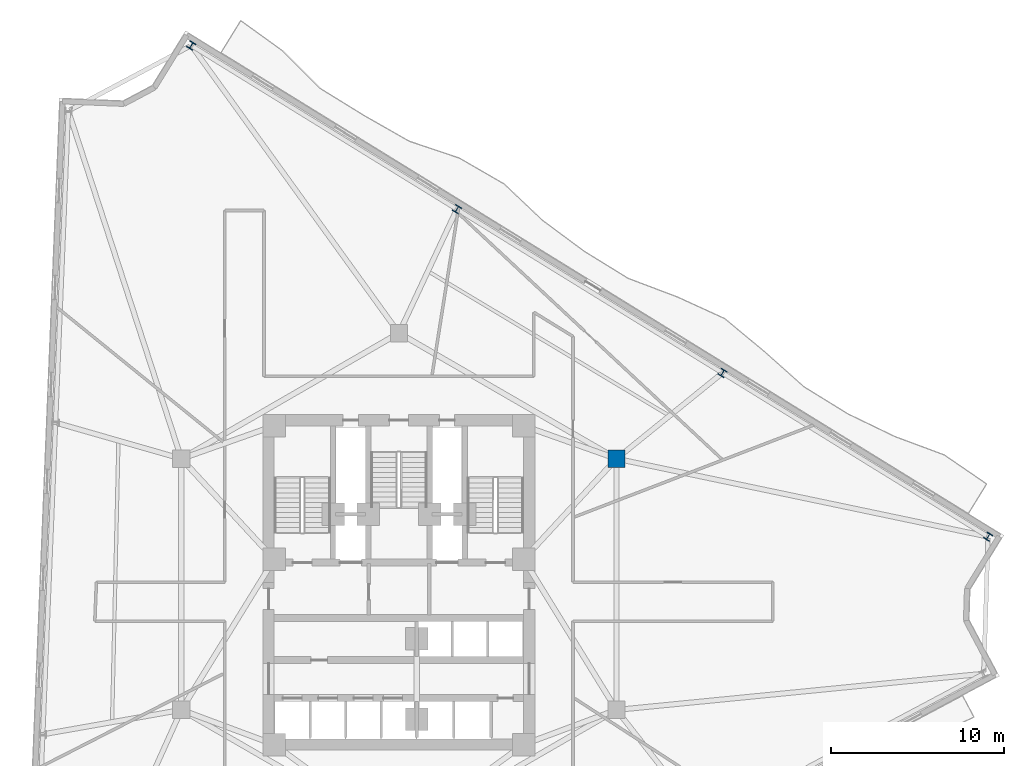
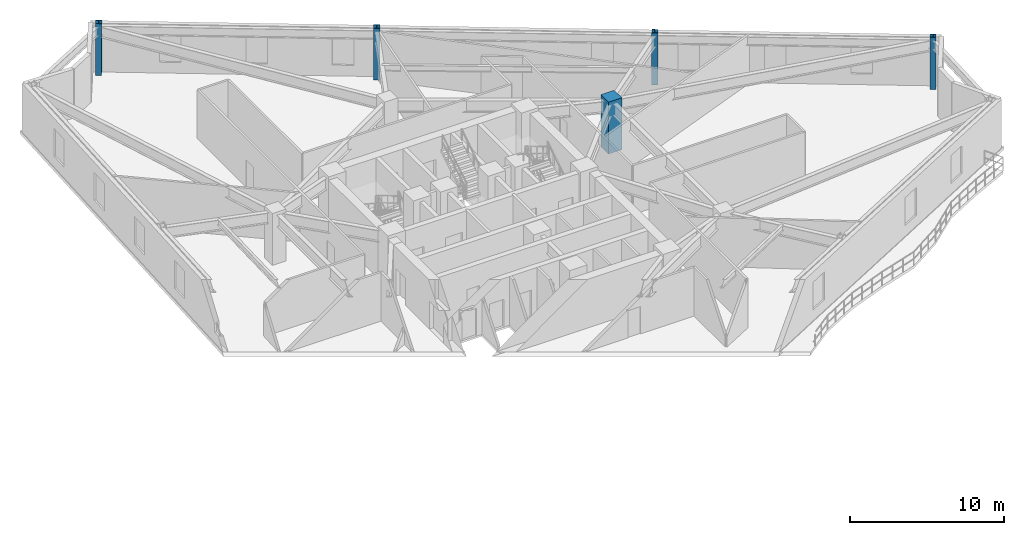
# One storey, part 2 of 11: 5 columns.
"""IFC4 building model written with IfcOpenShell, lengths in metres."""

from ifc_helpers import new_model, si_unit, direction, frame, origin, origin_2d, place, context, subcontext, project, spatial, rectangle, i_section, extrude, material, material_profile, profile_set, type_object, element, save


model = new_model("IFC4")

# Units and contexts
model_context = context("Model", 3, precision=1e-05, world=origin(), true_north=direction((0.0, 1.0)))
body_context = subcontext(model_context, "Body", "Model", "MODEL_VIEW")
ifc_project = project(units=[si_unit("LENGTHUNIT", "METRE"), si_unit("AREAUNIT", "SQUARE_METRE"), si_unit("VOLUMEUNIT", "CUBIC_METRE"), si_unit("PLANEANGLEUNIT", "RADIAN"), si_unit("MASSUNIT", "GRAM", prefix="KILO")], contexts=[model_context])

# Site, building, storey
site_placement = place(None, origin())
site = spatial("IfcSite", under=ifc_project, at=site_placement, CompositionType="ELEMENT")
building_placement = place(site_placement, origin())
building = spatial("IfcBuilding", under=site, at=building_placement, Name="Apsidion Concourse Tower", CompositionType="ELEMENT")
storey_placement = place(building_placement, frame((0.0, 0.0, 186.0)))
storey = spatial("IfcBuildingStorey", under=building, at=storey_placement, Name="L43", CompositionType="ELEMENT", Elevation=186.0)

# Columns
ifc_material_1 = material(Name="Concrete C50/60", Category="concrete")
ifc_material_profile_1 = material_profile(ifc_material_1, rectangle(XDim=1.0, YDim=1.0, at=origin_2d()), Name="RC 1000x1000")
ifc_profile_set_1 = profile_set([ifc_material_profile_1], Name="Concrete C50/60")
column_type_1 = type_object("IfcColumnType", Name="COL-RC-1000", PredefinedType="COLUMN", material=ifc_profile_set_1)
column_placement = place(storey_placement, frame((12.56005859375, 7.25, 0.0), z_axis=(0.0, 0.0, 1.0), x_axis=(1.0, 0.0, 0.0)))
element("IfcColumn", 1, at=column_placement, inside=storey, type_object=column_type_1, Name="L43 Interior Spine Column IC3", PredefinedType="COLUMN", context=body_context, shape_type="SweptSolid", body=[
    extrude(rectangle(XDim=1.0, YDim=1.0, at=origin_2d()), origin(), (0.0, 0.0, 1.0), 4.10009765625),
])
ifc_material_2 = material(Name="Structural steel ASTM A992 Grade 50", Category="steel")
ifc_material_profile_2 = material_profile(ifc_material_2, i_section(OverallWidth=0.406005859375, OverallDepth=0.4169921875, WebThickness=0.02978515625, FlangeThickness=0.048095703125, at=origin_2d()), Name="W14X257")
ifc_profile_set_2 = profile_set([ifc_material_profile_2], Name="Structural steel ASTM A992 Grade 50")
column_type_2 = type_object("IfcColumnType", Name="COL-W14-257", PredefinedType="COLUMN", material=ifc_profile_set_2)
for number, where, z_axis, x_axis, name in (
    (2, (34.010986328125, 2.751708984375, 0.0), (0.0, 0.0, 1.0), (-0.851269345923, 0.524728978323, 0.0), "L43 Rotated Perimeter Column PC09"),
    (3, (18.6787109375, 12.203369140625, 0.0), (0.0, 0.0, 1.0), (-0.851269345923, 0.524728978323, 0.0), "L43 Rotated Perimeter Column PC10"),
    (4, (3.346435546875, 21.655029296875, 0.0), (0.0, 0.0, 1.0), (-0.851269345923, 0.524728978323, 0.0), "L43 Rotated Perimeter Column PC11"),
    (5, (-11.98583984375, 31.106689453125, 0.0), (0.0, 0.0, 1.0), (-0.851269345923, 0.524728978323, 0.0), "L43 Rotated Perimeter Column PC12"),
):
    element("IfcColumn", number, at=place(storey_placement, frame(where, z_axis=z_axis, x_axis=x_axis)), inside=storey, type_object=column_type_2, Name=name, PredefinedType="COLUMN", context=body_context, shape_type="SweptSolid", body=[
        extrude(i_section(OverallWidth=0.406005859375, OverallDepth=0.4169921875, WebThickness=0.02978515625, FlangeThickness=0.048095703125, at=origin_2d()), origin(), (0.0, 0.0, 1.0), 4.10009765625),
    ])

save(model, "model.ifc")
